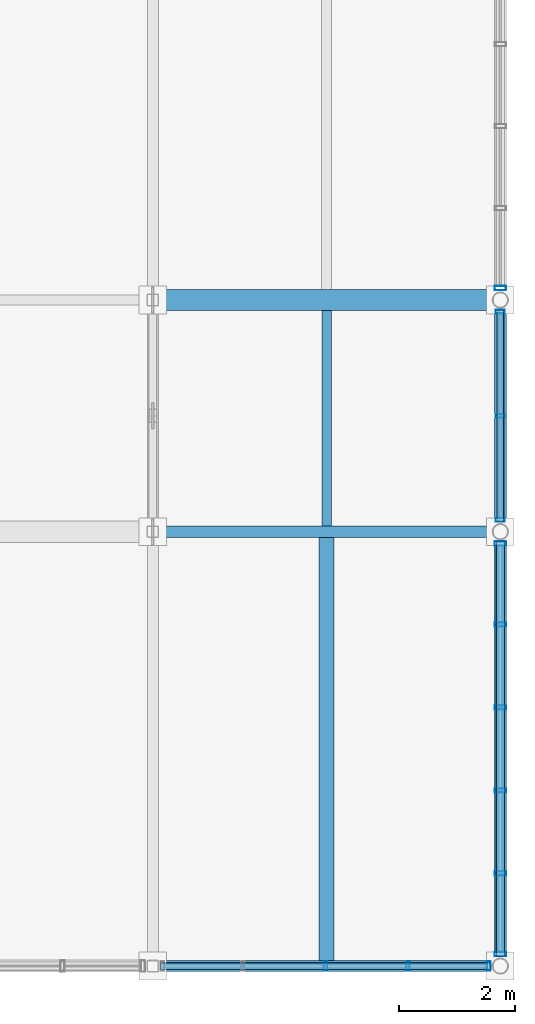
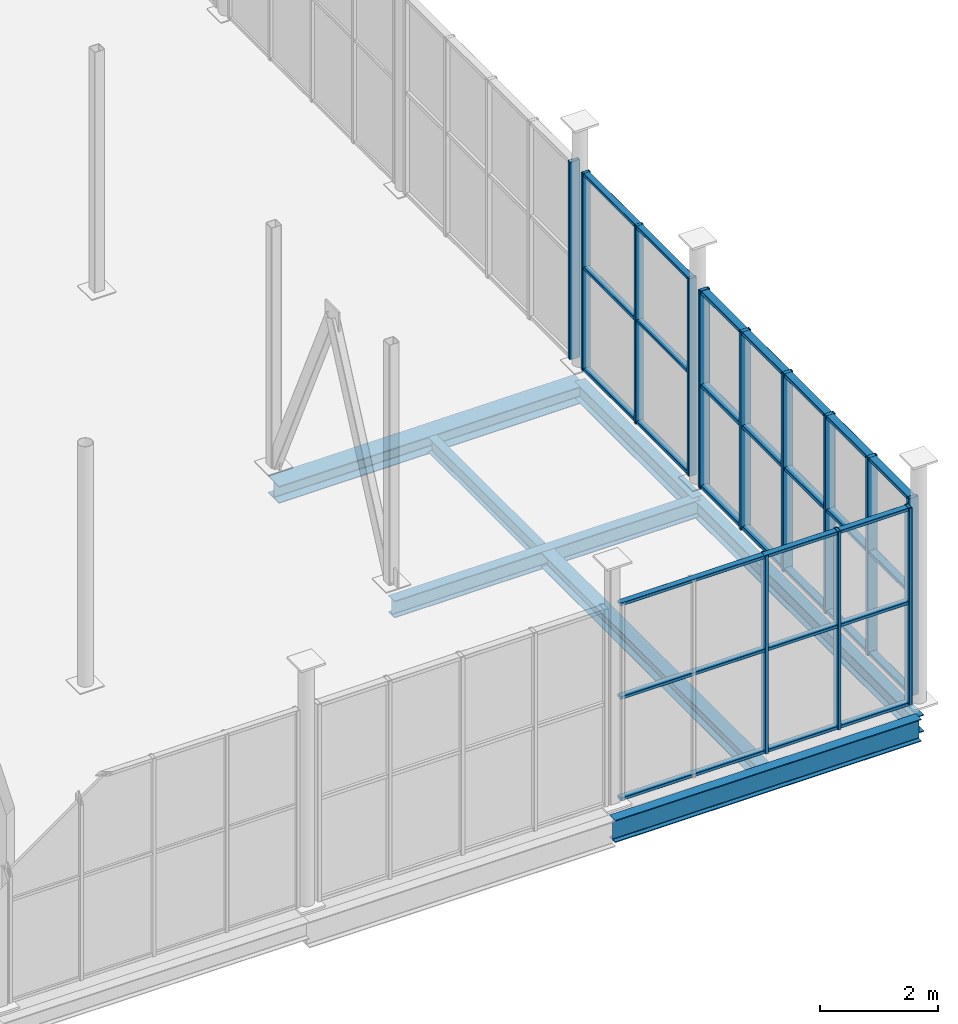
# One storey, part 12 of 27: 22 members, 7 beams, 4 elements without a shape of their own.
"""IFC4 building model written with IfcOpenShell, lengths in metres."""

from ifc_helpers import new_model, si_unit, direction, frame, origin, origin_2d, place, context, subcontext, project, spatial, hollow_rectangle, i_section, extrude, material, material_profile, profile_set, type_object, element, aggregate, save


model = new_model("IFC4")

# Units and contexts
model_context = context("Model", 3, precision=1e-05, world=origin(), true_north=direction((0.0, 1.0)))
body_context = subcontext(model_context, "Body", "Model", "MODEL_VIEW")
ifc_project = project(units=[si_unit("LENGTHUNIT", "METRE"), si_unit("AREAUNIT", "SQUARE_METRE"), si_unit("VOLUMEUNIT", "CUBIC_METRE"), si_unit("PLANEANGLEUNIT", "RADIAN"), si_unit("MASSUNIT", "GRAM", prefix="KILO")], contexts=[model_context])

# Site, building, storey
site_placement = place(None, origin())
site = spatial("IfcSite", under=ifc_project, at=site_placement, CompositionType="ELEMENT")
building_placement = place(site_placement, origin())
building = spatial("IfcBuilding", under=site, at=building_placement, Name="Verrall Gate Interchange", CompositionType="ELEMENT")
storey_placement = place(building_placement, frame((0.0, 0.0, 23.60009765625)))
storey = spatial("IfcBuildingStorey", under=building, at=storey_placement, Name="L06", CompositionType="ELEMENT", Elevation=23.60009765625)

# Beams
ifc_material_1 = material(Name="Structural Steel CSA G40.21 350W", Category="steel")
ifc_material_profile_1 = material_profile(ifc_material_1, i_section(OverallWidth=0.19189453125, OverallDepth=0.462890625, WebThickness=0.010498046875, FlangeThickness=0.017578125, FilletRadius=0.012939453125, at=origin_2d()), Name="W460x89")
ifc_profile_set_1 = profile_set([ifc_material_profile_1], Name="Structural Steel CSA G40.21 350W")
beam_type_1 = type_object("IfcBeamType", Name="B-11 Structural Beam W460x89", PredefinedType="BEAM", material=ifc_profile_set_1)
beam_1_placement = place(storey_placement, frame((30.0, 4.5, -0.5615234375), z_axis=(1.0, 0.0, 0.0), x_axis=(0.0, 1.0, 0.0)))
element("IfcBeam", 1, at=beam_1_placement, inside=storey, type_object=beam_type_1, Name="L06 Girder BM-L06-3058 (B-11)", PredefinedType="BEAM", context=body_context, shape_type="SweptSolid", body=[
    extrude(i_section(OverallWidth=0.19189453125, OverallDepth=0.462890625, WebThickness=0.010498046875, FlangeThickness=0.017578125, FilletRadius=0.012939453125, at=origin_2d()), origin(), (0.0, 0.0, 1.0), 6.0),
])
ifc_material_2 = material(Name="Structural Steel CSA G40.21 350W", Category="steel")
ifc_material_profile_2 = material_profile(ifc_material_2, i_section(OverallWidth=0.368896484375, OverallDepth=0.35595703125, WebThickness=0.01123046875, FlangeThickness=0.01806640625, FilletRadius=0.014892578125, at=origin_2d()), Name="W360x134")
ifc_profile_set_2 = profile_set([ifc_material_profile_2], Name="Structural Steel CSA G40.21 350W")
beam_type_2 = type_object("IfcBeamType", Name="B-13 Structural Beam W360x134", PredefinedType="BEAM", material=ifc_profile_set_2)
beam_2_placement = place(storey_placement, frame((30.0, 16.0, -0.508056640625), z_axis=(1.0, 0.0, 0.0), x_axis=(0.0, 1.0, 0.0)))
element("IfcBeam", 2, at=beam_2_placement, inside=storey, type_object=beam_type_2, Name="L06 Girder BM-L06-3068 (B-13)", PredefinedType="BEAM", context=body_context, shape_type="SweptSolid", body=[
    extrude(i_section(OverallWidth=0.368896484375, OverallDepth=0.35595703125, WebThickness=0.01123046875, FlangeThickness=0.01806640625, FilletRadius=0.014892578125, at=origin_2d()), origin(), (0.0, 0.0, 1.0), 6.0),
])
ifc_material_3 = material(Name="Structural Steel CSA G40.21 350W", Category="steel")
ifc_material_profile_3 = material_profile(ifc_material_3, i_section(OverallWidth=0.205078125, OverallDepth=0.35400390625, WebThickness=0.009521484375, FlangeThickness=0.016845703125, FilletRadius=0.012939453125, at=origin_2d()), Name="W360x79")
ifc_profile_set_3 = profile_set([ifc_material_profile_3], Name="Structural Steel CSA G40.21 350W")
beam_type_3 = type_object("IfcBeamType", Name="B-14 Structural Beam W360x79", PredefinedType="BEAM", material=ifc_profile_set_3)
beam_3_placement = place(storey_placement, frame((30.0, 12.0, -0.507080078125), z_axis=(1.0, 0.0, 0.0), x_axis=(0.0, 1.0, 0.0)))
element("IfcBeam", 3, at=beam_3_placement, inside=storey, type_object=beam_type_3, Name="L06 Girder BM-L06-3064 (B-14)", PredefinedType="BEAM", context=body_context, shape_type="SweptSolid", body=[
    extrude(i_section(OverallWidth=0.205078125, OverallDepth=0.35400390625, WebThickness=0.009521484375, FlangeThickness=0.016845703125, FilletRadius=0.012939453125, at=origin_2d()), origin(), (0.0, 0.0, 1.0), 6.0),
])
beam_4_placement = place(storey_placement, frame((36.0, 4.5, -0.507080078125), z_axis=(0.0, 1.0, 0.0), x_axis=(-1.0, 0.0, 0.0)))
element("IfcBeam", 4, at=beam_4_placement, inside=storey, type_object=beam_type_3, Name="L06 Girder BM-L06-3174 (B-14)", PredefinedType="BEAM", context=body_context, shape_type="SweptSolid", body=[
    extrude(i_section(OverallWidth=0.205078125, OverallDepth=0.35400390625, WebThickness=0.009521484375, FlangeThickness=0.016845703125, FilletRadius=0.012939453125, at=origin_2d()), origin(), (0.0, 0.0, 1.0), 7.5),
])
beam_5_placement = place(storey_placement, frame((36.0, 12.0, -0.507080078125), z_axis=(0.0, 1.0, 0.0), x_axis=(-1.0, 0.0, 0.0)))
element("IfcBeam", 5, at=beam_5_placement, inside=storey, type_object=beam_type_3, Name="L06 Girder BM-L06-3175 (B-14)", PredefinedType="BEAM", context=body_context, shape_type="SweptSolid", body=[
    extrude(i_section(OverallWidth=0.205078125, OverallDepth=0.35400390625, WebThickness=0.009521484375, FlangeThickness=0.016845703125, FilletRadius=0.012939453125, at=origin_2d()), origin(), (0.0, 0.0, 1.0), 4.0),
])

# Curtain wall, members
ifc_material_4 = material(Name="Thermally Broken Anodized Aluminium Curtain Wall Framing", Category="aluminium")
curtain_wall_type_1 = type_object("IfcCurtainWallType", Name="CW-45 Unitized Curtain Wall 5698x4100", PredefinedType="NOTDEFINED", material=ifc_material_4)
curtain_wall_1_placement = place(storey_placement, origin())
curtain_wall_1 = element("IfcCurtainWall", 6, at=curtain_wall_1_placement, inside=storey, type_object=curtain_wall_type_1, Name="L06 Unitized Curtain Wall CW-L06-142", PredefinedType="NOTDEFINED")
ifc_material_5 = material(Name="Thermally Broken Anodized Aluminium Curtain Wall Framing", Category="aluminium")
ifc_material_profile_4 = material_profile(ifc_material_5, hollow_rectangle(XDim=0.06494140625, YDim=0.159912109375, WallThickness=0.00390625, InnerFilletRadius=0.00390625, OuterFilletRadius=0.008056640625, at=origin_2d()), Name="CWM160x65x4")
ifc_profile_set_4 = profile_set([ifc_material_profile_4], Name="Thermally Broken Anodized Aluminium Curtain Wall Framing")
member_type_1 = type_object("IfcMemberType", Name="CM-01 Curtain Mullion CWM160x65x4", PredefinedType="MULLION", material=ifc_profile_set_4)
member_1_placement = place(storey_placement, frame((32.982421875, 4.5, 0.0), z_axis=(0.0, 0.0, 1.0), x_axis=(1.0, 0.0, 0.0)))
member_1 = element("IfcMember", 7, at=member_1_placement, type_object=member_type_1, Name="CW-L06-142 Mullion 3", PredefinedType="MULLION", context=body_context, shape_type="SweptSolid", body=[
    extrude(hollow_rectangle(XDim=0.06494140625, YDim=0.159912109375, WallThickness=0.00390625, InnerFilletRadius=0.00390625, OuterFilletRadius=0.008056640625, at=origin_2d()), origin(), (0.0, 0.0, 1.0), 4.099853515625),
])
member_2_placement = place(storey_placement, frame((34.406982421875, 4.5, 0.0), z_axis=(0.0, 0.0, 1.0), x_axis=(1.0, 0.0, 0.0)))
member_2 = element("IfcMember", 8, at=member_2_placement, type_object=member_type_1, Name="CW-L06-142 Mullion 4", PredefinedType="MULLION", context=body_context, shape_type="SweptSolid", body=[
    extrude(hollow_rectangle(XDim=0.06494140625, YDim=0.159912109375, WallThickness=0.00390625, InnerFilletRadius=0.00390625, OuterFilletRadius=0.008056640625, at=origin_2d()), origin(), (0.0, 0.0, 1.0), 4.099853515625),
])
member_3_placement = place(storey_placement, frame((35.798828125, 4.5, 0.0), z_axis=(0.0, 0.0, 1.0), x_axis=(1.0, 0.0, 0.0)))
member_3 = element("IfcMember", 9, at=member_3_placement, type_object=member_type_1, Name="CW-L06-142 Mullion 5", PredefinedType="MULLION", context=body_context, shape_type="SweptSolid", body=[
    extrude(hollow_rectangle(XDim=0.06494140625, YDim=0.159912109375, WallThickness=0.00390625, InnerFilletRadius=0.00390625, OuterFilletRadius=0.008056640625, at=origin_2d()), origin(), (0.0, 0.0, 1.0), 4.099853515625),
])

ifc_material_6 = material(Name="Thermally Broken Anodized Aluminium Curtain Wall Framing", Category="aluminium")
curtain_wall_type_2 = type_object("IfcCurtainWallType", Name="CW-47 Unitized Curtain Wall 3663x4100", PredefinedType="NOTDEFINED", material=ifc_material_6)
curtain_wall_2_placement = place(storey_placement, origin())
curtain_wall_2 = element("IfcCurtainWall", 10, at=curtain_wall_2_placement, inside=storey, type_object=curtain_wall_type_2, Name="L06 Unitized Curtain Wall CW-L06-144", PredefinedType="NOTDEFINED")
member_4_placement = place(storey_placement, frame((36.0, 12.201171875, 0.0), z_axis=(0.0, 0.0, 1.0), x_axis=(0.0, 1.0, 0.0)))
member_4 = element("IfcMember", 11, at=member_4_placement, type_object=member_type_1, Name="CW-L06-144 Mullion 1", PredefinedType="MULLION", context=body_context, shape_type="SweptSolid", body=[
    extrude(hollow_rectangle(XDim=0.06494140625, YDim=0.159912109375, WallThickness=0.00390625, InnerFilletRadius=0.00390625, OuterFilletRadius=0.008056640625, at=origin_2d()), origin(), (0.0, 0.0, 1.0), 4.099853515625),
])
member_5_placement = place(storey_placement, frame((36.0, 14.0, 0.0), z_axis=(0.0, 0.0, 1.0), x_axis=(0.0, 1.0, 0.0)))
member_5 = element("IfcMember", 12, at=member_5_placement, type_object=member_type_1, Name="CW-L06-144 Mullion 2", PredefinedType="MULLION", context=body_context, shape_type="SweptSolid", body=[
    extrude(hollow_rectangle(XDim=0.06494140625, YDim=0.159912109375, WallThickness=0.00390625, InnerFilletRadius=0.00390625, OuterFilletRadius=0.008056640625, at=origin_2d()), origin(), (0.0, 0.0, 1.0), 4.099853515625),
])
member_6_placement = place(storey_placement, frame((36.0, 15.798828125, 0.0), z_axis=(0.0, 0.0, 1.0), x_axis=(0.0, 1.0, 0.0)))
member_6 = element("IfcMember", 13, at=member_6_placement, type_object=member_type_1, Name="CW-L06-144 Mullion 3", PredefinedType="MULLION", context=body_context, shape_type="SweptSolid", body=[
    extrude(hollow_rectangle(XDim=0.06494140625, YDim=0.159912109375, WallThickness=0.00390625, InnerFilletRadius=0.00390625, OuterFilletRadius=0.008056640625, at=origin_2d()), origin(), (0.0, 0.0, 1.0), 4.099853515625),
])

ifc_material_7 = material(Name="Thermally Broken Anodized Aluminium Curtain Wall Framing", Category="aluminium")
curtain_wall_type_3 = type_object("IfcCurtainWallType", Name="CW-46 Unitized Curtain Wall 7163x4100", PredefinedType="NOTDEFINED", material=ifc_material_7)
curtain_wall_3_placement = place(storey_placement, origin())
curtain_wall_3 = element("IfcCurtainWall", 14, at=curtain_wall_3_placement, inside=storey, type_object=curtain_wall_type_3, Name="L06 Unitized Curtain Wall CW-L06-143", PredefinedType="NOTDEFINED")
ifc_material_8 = material(Name="Thermally Broken Anodized Aluminium Curtain Wall Framing", Category="aluminium")
ifc_material_profile_5 = material_profile(ifc_material_8, hollow_rectangle(XDim=0.074951171875, YDim=0.199951171875, WallThickness=0.0048828125, InnerFilletRadius=0.0048828125, OuterFilletRadius=0.010009765625, at=origin_2d()), Name="CWM200x75x5")
ifc_profile_set_5 = profile_set([ifc_material_profile_5], Name="Thermally Broken Anodized Aluminium Curtain Wall Framing")
member_type_2 = type_object("IfcMemberType", Name="CM-02 Curtain Mullion CWM200x75x5", PredefinedType="MULLION", material=ifc_profile_set_5)
member_7_placement = place(storey_placement, frame((36.0, 4.7060546875, 0.0), z_axis=(0.0, 0.0, 1.0), x_axis=(0.0, 1.0, 0.0)))
member_7 = element("IfcMember", 15, at=member_7_placement, type_object=member_type_2, Name="CW-L06-143 Mullion 1", PredefinedType="MULLION", context=body_context, shape_type="SweptSolid", body=[
    extrude(hollow_rectangle(XDim=0.074951171875, YDim=0.199951171875, WallThickness=0.0048828125, InnerFilletRadius=0.0048828125, OuterFilletRadius=0.010009765625, at=origin_2d()), origin(), (0.0, 0.0, 1.0), 4.099853515625),
])
member_8_placement = place(storey_placement, frame((36.0, 6.101318359375, 0.0), z_axis=(0.0, 0.0, 1.0), x_axis=(0.0, 1.0, 0.0)))
member_8 = element("IfcMember", 16, at=member_8_placement, type_object=member_type_2, Name="CW-L06-143 Mullion 2", PredefinedType="MULLION", context=body_context, shape_type="SweptSolid", body=[
    extrude(hollow_rectangle(XDim=0.074951171875, YDim=0.199951171875, WallThickness=0.0048828125, InnerFilletRadius=0.0048828125, OuterFilletRadius=0.010009765625, at=origin_2d()), origin(), (0.0, 0.0, 1.0), 4.099853515625),
])
member_9_placement = place(storey_placement, frame((36.0, 7.53369140625, 0.0), z_axis=(0.0, 0.0, 1.0), x_axis=(0.0, 1.0, 0.0)))
member_9 = element("IfcMember", 17, at=member_9_placement, type_object=member_type_2, Name="CW-L06-143 Mullion 3", PredefinedType="MULLION", context=body_context, shape_type="SweptSolid", body=[
    extrude(hollow_rectangle(XDim=0.074951171875, YDim=0.199951171875, WallThickness=0.0048828125, InnerFilletRadius=0.0048828125, OuterFilletRadius=0.010009765625, at=origin_2d()), origin(), (0.0, 0.0, 1.0), 4.099853515625),
])
member_10_placement = place(storey_placement, frame((36.0, 8.96630859375, 0.0), z_axis=(0.0, 0.0, 1.0), x_axis=(0.0, 1.0, 0.0)))
member_10 = element("IfcMember", 18, at=member_10_placement, type_object=member_type_2, Name="CW-L06-143 Mullion 4", PredefinedType="MULLION", context=body_context, shape_type="SweptSolid", body=[
    extrude(hollow_rectangle(XDim=0.074951171875, YDim=0.199951171875, WallThickness=0.0048828125, InnerFilletRadius=0.0048828125, OuterFilletRadius=0.010009765625, at=origin_2d()), origin(), (0.0, 0.0, 1.0), 4.099853515625),
])
member_11_placement = place(storey_placement, frame((36.0, 10.398681640625, 0.0), z_axis=(0.0, 0.0, 1.0), x_axis=(0.0, 1.0, 0.0)))
member_11 = element("IfcMember", 19, at=member_11_placement, type_object=member_type_2, Name="CW-L06-143 Mullion 5", PredefinedType="MULLION", context=body_context, shape_type="SweptSolid", body=[
    extrude(hollow_rectangle(XDim=0.074951171875, YDim=0.199951171875, WallThickness=0.0048828125, InnerFilletRadius=0.0048828125, OuterFilletRadius=0.010009765625, at=origin_2d()), origin(), (0.0, 0.0, 1.0), 4.099853515625),
])
member_12_placement = place(storey_placement, frame((36.0, 11.7939453125, 0.0), z_axis=(0.0, 0.0, 1.0), x_axis=(0.0, 1.0, 0.0)))
member_12 = element("IfcMember", 20, at=member_12_placement, type_object=member_type_2, Name="CW-L06-143 Mullion 6", PredefinedType="MULLION", context=body_context, shape_type="SweptSolid", body=[
    extrude(hollow_rectangle(XDim=0.074951171875, YDim=0.199951171875, WallThickness=0.0048828125, InnerFilletRadius=0.0048828125, OuterFilletRadius=0.010009765625, at=origin_2d()), origin(), (0.0, 0.0, 1.0), 4.099853515625),
])

# Curtain wall, member
curtain_wall_4_placement = place(storey_placement, origin())
curtain_wall_4 = element("IfcCurtainWall", 21, at=curtain_wall_4_placement, inside=storey, type_object=curtain_wall_type_1, Name="L06 Unitized Curtain Wall CW-L06-145", PredefinedType="NOTDEFINED")
member_13_placement = place(storey_placement, frame((36.0, 16.2060546875, 0.0), z_axis=(0.0, 0.0, 1.0), x_axis=(0.0, 1.0, 0.0)))
member_13 = element("IfcMember", 22, at=member_13_placement, type_object=member_type_2, Name="CW-L06-145 Mullion 1", PredefinedType="MULLION", context=body_context, shape_type="SweptSolid", body=[
    extrude(hollow_rectangle(XDim=0.074951171875, YDim=0.199951171875, WallThickness=0.0048828125, InnerFilletRadius=0.0048828125, OuterFilletRadius=0.010009765625, at=origin_2d()), origin(), (0.0, 0.0, 1.0), 4.099853515625),
])
aggregate(curtain_wall_4, [member_13])

# Member
ifc_material_9 = material(Name="Thermally Broken Anodized Aluminium Curtain Wall Framing", Category="aluminium")
ifc_material_profile_6 = material_profile(ifc_material_9, hollow_rectangle(XDim=0.1201171875, YDim=0.06494140625, WallThickness=0.00390625, InnerFilletRadius=0.00390625, OuterFilletRadius=0.008056640625, at=origin_2d()), Name="CWT120x65x4")
ifc_profile_set_6 = profile_set([ifc_material_profile_6], Name="Thermally Broken Anodized Aluminium Curtain Wall Framing")
member_type_3 = type_object("IfcMemberType", Name="CT-01 Curtain Transom CWT120x65x4", PredefinedType="USERDEFINED", material=ifc_profile_set_6)
member_14_placement = place(storey_placement, frame((30.133544921875, 4.5, 0.032470703125), z_axis=(1.0, 0.0, 0.0), x_axis=(0.0, 1.0, 0.0)))
member_14 = element("IfcMember", 23, at=member_14_placement, type_object=member_type_3, Name="CW-L06-142 Transom 1", ObjectType="TRANSOM", PredefinedType="USERDEFINED", context=body_context, shape_type="SweptSolid", body=[
    extrude(hollow_rectangle(XDim=0.1201171875, YDim=0.06494140625, WallThickness=0.00390625, InnerFilletRadius=0.00390625, OuterFilletRadius=0.008056640625, at=origin_2d()), origin(), (0.0, 0.0, 1.0), 5.69775390625),
])

member_15_placement = place(storey_placement, frame((30.133544921875, 4.5, 2.1318359375), z_axis=(1.0, 0.0, 0.0), x_axis=(0.0, 1.0, 0.0)))
member_15 = element("IfcMember", 24, at=member_15_placement, type_object=member_type_3, Name="CW-L06-142 Transom 2", ObjectType="TRANSOM", PredefinedType="USERDEFINED", context=body_context, shape_type="SweptSolid", body=[
    extrude(hollow_rectangle(XDim=0.1201171875, YDim=0.06494140625, WallThickness=0.00390625, InnerFilletRadius=0.00390625, OuterFilletRadius=0.008056640625, at=origin_2d()), origin(), (0.0, 0.0, 1.0), 5.69775390625),
])

member_16_placement = place(storey_placement, frame((30.133544921875, 4.5, 4.0673828125), z_axis=(1.0, 0.0, 0.0), x_axis=(0.0, 1.0, 0.0)))
member_16 = element("IfcMember", 25, at=member_16_placement, type_object=member_type_3, Name="CW-L06-142 Transom 3", ObjectType="TRANSOM", PredefinedType="USERDEFINED", context=body_context, shape_type="SweptSolid", body=[
    extrude(hollow_rectangle(XDim=0.1201171875, YDim=0.06494140625, WallThickness=0.00390625, InnerFilletRadius=0.00390625, OuterFilletRadius=0.008056640625, at=origin_2d()), origin(), (0.0, 0.0, 1.0), 5.69775390625),
])

aggregate(curtain_wall_1, [member_1, member_2, member_3, member_14, member_15, member_16])

member_17_placement = place(storey_placement, frame((36.0, 12.168701171875, 0.032470703125), z_axis=(0.0, 1.0, 0.0), x_axis=(-1.0, 0.0, 0.0)))
member_17 = element("IfcMember", 26, at=member_17_placement, type_object=member_type_3, Name="CW-L06-144 Transom 1", ObjectType="TRANSOM", PredefinedType="USERDEFINED", context=body_context, shape_type="SweptSolid", body=[
    extrude(hollow_rectangle(XDim=0.1201171875, YDim=0.06494140625, WallThickness=0.00390625, InnerFilletRadius=0.00390625, OuterFilletRadius=0.008056640625, at=origin_2d()), origin(), (0.0, 0.0, 1.0), 3.66259765625),
])

member_18_placement = place(storey_placement, frame((36.0, 12.168701171875, 2.1318359375), z_axis=(0.0, 1.0, 0.0), x_axis=(-1.0, 0.0, 0.0)))
member_18 = element("IfcMember", 27, at=member_18_placement, type_object=member_type_3, Name="CW-L06-144 Transom 2", ObjectType="TRANSOM", PredefinedType="USERDEFINED", context=body_context, shape_type="SweptSolid", body=[
    extrude(hollow_rectangle(XDim=0.1201171875, YDim=0.06494140625, WallThickness=0.00390625, InnerFilletRadius=0.00390625, OuterFilletRadius=0.008056640625, at=origin_2d()), origin(), (0.0, 0.0, 1.0), 3.66259765625),
])

member_19_placement = place(storey_placement, frame((36.0, 12.168701171875, 4.0673828125), z_axis=(0.0, 1.0, 0.0), x_axis=(-1.0, 0.0, 0.0)))
member_19 = element("IfcMember", 28, at=member_19_placement, type_object=member_type_3, Name="CW-L06-144 Transom 3", ObjectType="TRANSOM", PredefinedType="USERDEFINED", context=body_context, shape_type="SweptSolid", body=[
    extrude(hollow_rectangle(XDim=0.1201171875, YDim=0.06494140625, WallThickness=0.00390625, InnerFilletRadius=0.00390625, OuterFilletRadius=0.008056640625, at=origin_2d()), origin(), (0.0, 0.0, 1.0), 3.66259765625),
])

aggregate(curtain_wall_2, [member_4, member_5, member_6, member_17, member_18, member_19])

ifc_material_10 = material(Name="Thermally Broken Anodized Aluminium Curtain Wall Framing", Category="aluminium")
ifc_material_profile_7 = material_profile(ifc_material_10, hollow_rectangle(XDim=0.14990234375, YDim=0.074951171875, WallThickness=0.00439453125, InnerFilletRadius=0.00439453125, OuterFilletRadius=0.009033203125, at=origin_2d()), Name="CWT150x75x4.5")
ifc_profile_set_7 = profile_set([ifc_material_profile_7], Name="Thermally Broken Anodized Aluminium Curtain Wall Framing")
member_type_4 = type_object("IfcMemberType", Name="CT-02 Curtain Transom CWT150x75x4.5", PredefinedType="USERDEFINED", material=ifc_profile_set_7)
member_20_placement = place(storey_placement, frame((36.0, 4.668701171875, 0.037353515625), z_axis=(0.0, 1.0, 0.0), x_axis=(-1.0, 0.0, 0.0)))
member_20 = element("IfcMember", 29, at=member_20_placement, type_object=member_type_4, Name="CW-L06-143 Transom 1", ObjectType="TRANSOM", PredefinedType="USERDEFINED", context=body_context, shape_type="SweptSolid", body=[
    extrude(hollow_rectangle(XDim=0.14990234375, YDim=0.074951171875, WallThickness=0.00439453125, InnerFilletRadius=0.00439453125, OuterFilletRadius=0.009033203125, at=origin_2d()), origin(), (0.0, 0.0, 1.0), 7.16259765625),
])

member_21_placement = place(storey_placement, frame((36.0, 4.668701171875, 2.1318359375), z_axis=(0.0, 1.0, 0.0), x_axis=(-1.0, 0.0, 0.0)))
member_21 = element("IfcMember", 30, at=member_21_placement, type_object=member_type_4, Name="CW-L06-143 Transom 2", ObjectType="TRANSOM", PredefinedType="USERDEFINED", context=body_context, shape_type="SweptSolid", body=[
    extrude(hollow_rectangle(XDim=0.14990234375, YDim=0.074951171875, WallThickness=0.00439453125, InnerFilletRadius=0.00439453125, OuterFilletRadius=0.009033203125, at=origin_2d()), origin(), (0.0, 0.0, 1.0), 7.16259765625),
])

member_22_placement = place(storey_placement, frame((36.0, 4.668701171875, 4.0625), z_axis=(0.0, 1.0, 0.0), x_axis=(-1.0, 0.0, 0.0)))
member_22 = element("IfcMember", 31, at=member_22_placement, type_object=member_type_4, Name="CW-L06-143 Transom 3", ObjectType="TRANSOM", PredefinedType="USERDEFINED", context=body_context, shape_type="SweptSolid", body=[
    extrude(hollow_rectangle(XDim=0.14990234375, YDim=0.074951171875, WallThickness=0.00439453125, InnerFilletRadius=0.00439453125, OuterFilletRadius=0.009033203125, at=origin_2d()), origin(), (0.0, 0.0, 1.0), 7.16259765625),
])

aggregate(curtain_wall_3, [member_7, member_8, member_9, member_10, member_11, member_12, member_20, member_21, member_22])

# Beams
ifc_material_11 = material(Name="Structural Steel CSA G40.21 350W", Category="steel")
ifc_material_profile_8 = material_profile(ifc_material_11, i_section(OverallWidth=0.25390625, OverallDepth=0.305908203125, WebThickness=0.0087890625, FlangeThickness=0.0146484375, FilletRadius=0.012939453125, at=origin_2d()), Name="W310x79")
ifc_profile_set_8 = profile_set([ifc_material_profile_8], Name="Structural Steel CSA G40.21 350W")
beam_type_4 = type_object("IfcBeamType", Name="J-03 Floor Joist W310x79", PredefinedType="JOIST", material=ifc_profile_set_8)
beam_6_placement = place(storey_placement, frame((33.0, 4.595947265625, -0.483154296875), z_axis=(0.0, 1.0, 0.0), x_axis=(-1.0, 0.0, 0.0)))
element("IfcBeam", 32, at=beam_6_placement, inside=storey, type_object=beam_type_4, Name="L06 Secondary Floor Joist JST-L06-3188", PredefinedType="JOIST", context=body_context, shape_type="SweptSolid", body=[
    extrude(i_section(OverallWidth=0.25390625, OverallDepth=0.305908203125, WebThickness=0.0087890625, FlangeThickness=0.0146484375, FilletRadius=0.012939453125, at=origin_2d()), origin(), (0.0, 0.0, 1.0), 7.301513671875),
])
ifc_material_12 = material(Name="Structural Steel CSA G40.21 350W", Category="steel")
ifc_material_profile_9 = material_profile(ifc_material_12, i_section(OverallWidth=0.1650390625, OverallDepth=0.31005859375, WebThickness=0.005859375, FlangeThickness=0.009765625, FilletRadius=0.010009765625, at=origin_2d()), Name="W310x39")
ifc_profile_set_9 = profile_set([ifc_material_profile_9], Name="Structural Steel CSA G40.21 350W")
beam_type_5 = type_object("IfcBeamType", Name="J-04 Floor Joist W310x39", PredefinedType="JOIST", material=ifc_profile_set_9)
beam_7_placement = place(storey_placement, frame((33.0, 12.1025390625, -0.485107421875), z_axis=(0.0, 1.0, 0.0), x_axis=(-1.0, 0.0, 0.0)))
element("IfcBeam", 33, at=beam_7_placement, inside=storey, type_object=beam_type_5, Name="L06 Secondary Floor Joist JST-L06-3192", PredefinedType="JOIST", context=body_context, shape_type="SweptSolid", body=[
    extrude(i_section(OverallWidth=0.1650390625, OverallDepth=0.31005859375, WebThickness=0.005859375, FlangeThickness=0.009765625, FilletRadius=0.010009765625, at=origin_2d()), origin(), (0.0, 0.0, 1.0), 3.712890625),
])

save(model, "model.ifc")
